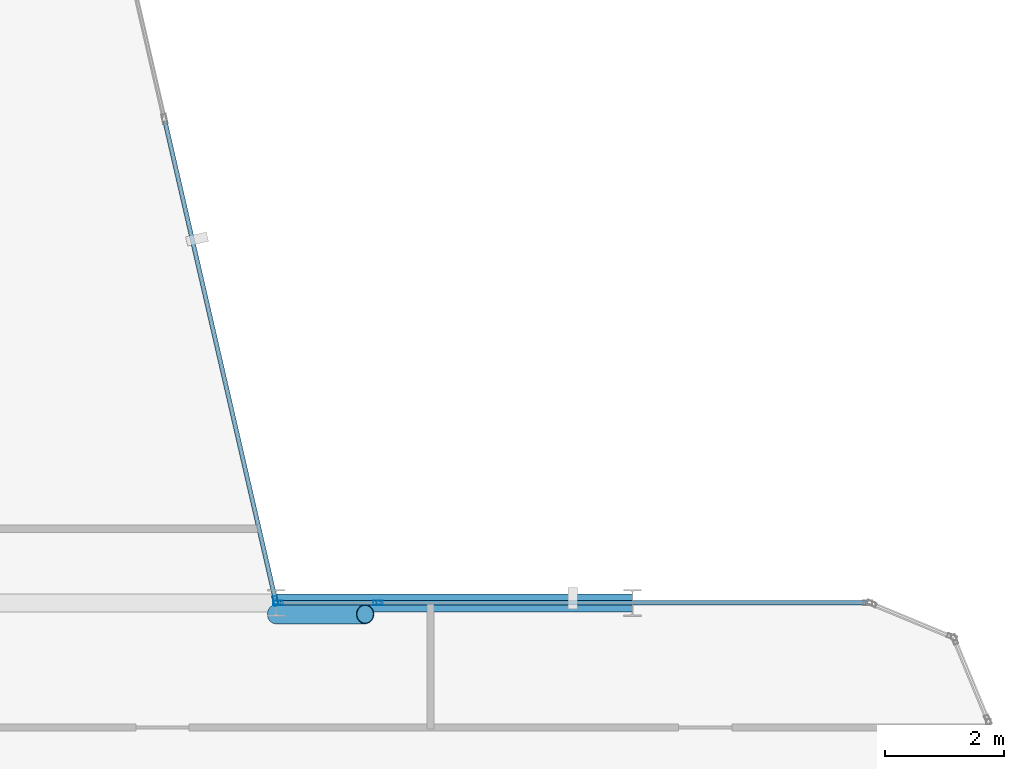
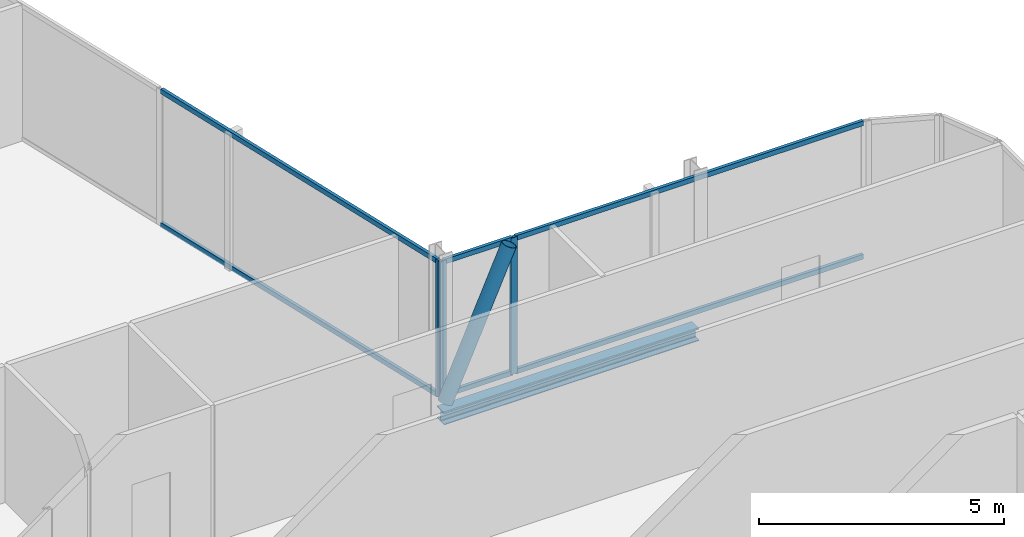
# One storey, part 14 of 29: 10 members, 1 beam, 3 elements without a shape of their own.
"""IFC4 building model written with IfcOpenShell, lengths in metres."""

from ifc_helpers import new_model, si_unit, direction, frame, origin, origin_2d, place, context, subcontext, project, spatial, hollow_rectangle, hollow_circle, i_section, extrude, material, layer, layer_set, material_profile, profile_set, type_object, element, aggregate, save


model = new_model("IFC4")

# Units and contexts
model_context = context("Model", 3, precision=1e-05, world=origin(), true_north=direction((0.0, 1.0)))
body_context = subcontext(model_context, "Body", "Model", "MODEL_VIEW")
ifc_project = project(units=[si_unit("LENGTHUNIT", "METRE"), si_unit("AREAUNIT", "SQUARE_METRE"), si_unit("VOLUMEUNIT", "CUBIC_METRE"), si_unit("PLANEANGLEUNIT", "RADIAN"), si_unit("MASSUNIT", "GRAM", prefix="KILO")], contexts=[model_context])

# Site, building, storey
site_placement = place(None, origin())
site = spatial("IfcSite", under=ifc_project, at=site_placement, CompositionType="ELEMENT")
building_placement = place(site_placement, origin())
building = spatial("IfcBuilding", under=site, at=building_placement, Name="Keshet Zoharim Tower", CompositionType="ELEMENT")
storey_placement = place(building_placement, frame((0.0, 0.0, 210.60009765625)))
storey = spatial("IfcBuildingStorey", under=building, at=storey_placement, Name="L52", CompositionType="ELEMENT", Elevation=210.60009765625)

# Beam
ifc_material_1 = material(Name="Steel S355", Category="steel")
ifc_material_profile_1 = material_profile(ifc_material_1, i_section(OverallWidth=0.300048828125, OverallDepth=0.300048828125, WebThickness=0.010986328125, FlangeThickness=0.01904296875, FilletRadius=0.027099609375, at=origin_2d()), Name="HEB300")
ifc_profile_set_1 = profile_set([ifc_material_profile_1], Name="Steel S355")
beam_type = type_object("IfcBeamType", Name="BM-PRI-HB300", PredefinedType="BEAM", material=ifc_profile_set_1)
beam_placement = place(storey_placement, frame((45.0, 27.89990234375, -0.460205078125), z_axis=(1.0, 0.0, 0.0), x_axis=(0.0, 1.0, 0.0)))
element("IfcBeam", 1, at=beam_placement, inside=storey, type_object=beam_type, Name="L52 Primary Girder X-016", PredefinedType="BEAM", context=body_context, shape_type="SweptSolid", body=[
    extrude(i_section(OverallWidth=0.300048828125, OverallDepth=0.300048828125, WebThickness=0.010986328125, FlangeThickness=0.01904296875, FilletRadius=0.027099609375, at=origin_2d()), origin(), (0.0, 0.0, 1.0), 6.0),
])

# Curtain wall, member
ifc_material_2 = material(Name="Aluminium 6063-T6", Category="aluminium")
ifc_layer = layer(ifc_material_2, 0.139892578125)
ifc_layer_set = layer_set([ifc_layer], Name="Aluminium 6063-T6")
curtain_wall_type = type_object("IfcCurtainWallType", Name="CW-SYS-05", PredefinedType="NOTDEFINED", material=ifc_layer_set)
curtain_wall_1_placement = place(storey_placement, origin())
curtain_wall_1 = element("IfcCurtainWall", 2, at=curtain_wall_1_placement, inside=storey, type_object=curtain_wall_type, Name="L52 Unitised Curtain Wall 19", PredefinedType="NOTDEFINED")
ifc_material_profile_2 = material_profile(ifc_material_2, hollow_rectangle(XDim=0.074951171875, YDim=0.159912109375, WallThickness=0.00390625, at=origin_2d()), Name="MUL-75x160")
ifc_profile_set_2 = profile_set([ifc_material_profile_2], Name="Aluminium 6063-T6")
member_type_1 = type_object("IfcMemberType", Name="CWM-M15", PredefinedType="MULLION", material=ifc_profile_set_2)
member_1_placement = place(storey_placement, frame((44.9921875, 27.93408203125, 0.0), z_axis=(0.0, 0.0, 1.0), x_axis=(0.974393882313, 0.224847864369, 0.0)))
member_1 = element("IfcMember", 3, at=member_1_placement, type_object=member_type_1, Name="CW-05 mullion 4", PredefinedType="MULLION", context=body_context, shape_type="SweptSolid", body=[
    extrude(hollow_rectangle(XDim=0.074951171875, YDim=0.159912109375, WallThickness=0.00390625, at=origin_2d()), origin(), (0.0, 0.0, 1.0), 3.389892578125),
])

# Curtain wall, members
curtain_wall_2_placement = place(storey_placement, origin())
curtain_wall_2 = element("IfcCurtainWall", 4, at=curtain_wall_2_placement, inside=storey, type_object=curtain_wall_type, Name="L52 Unitised Curtain Wall 20", PredefinedType="NOTDEFINED")
member_2_placement = place(storey_placement, frame((45.034912109375, 27.89990234375, 0.0), z_axis=(0.0, 0.0, 1.0), x_axis=(0.0, 1.0, 0.0)))
member_2 = element("IfcMember", 5, at=member_2_placement, type_object=member_type_1, Name="CW-05 mullion 1", PredefinedType="MULLION", context=body_context, shape_type="SweptSolid", body=[
    extrude(hollow_rectangle(XDim=0.074951171875, YDim=0.159912109375, WallThickness=0.00390625, at=origin_2d()), origin(), (0.0, 0.0, 1.0), 3.389892578125),
])
member_3_placement = place(storey_placement, frame((46.713134765625, 27.89990234375, 0.0), z_axis=(0.0, 0.0, 1.0), x_axis=(0.0, 1.0, 0.0)))
member_3 = element("IfcMember", 6, at=member_3_placement, type_object=member_type_1, Name="CW-05 mullion 2", PredefinedType="MULLION", context=body_context, shape_type="SweptSolid", body=[
    extrude(hollow_rectangle(XDim=0.074951171875, YDim=0.159912109375, WallThickness=0.00390625, at=origin_2d()), origin(), (0.0, 0.0, 1.0), 3.389892578125),
])

# Member
ifc_material_profile_3 = material_profile(ifc_material_2, hollow_rectangle(XDim=0.074951171875, YDim=0.1201171875, WallThickness=0.00390625, at=origin_2d()), Name="TRN-75x120")
ifc_profile_set_3 = profile_set([ifc_material_profile_3], Name="Aluminium 6063-T6")
member_type_2 = type_object("IfcMemberType", Name="CWT-T12", PredefinedType="USERDEFINED", material=ifc_profile_set_3)
member_4_placement = place(storey_placement, frame((43.127197265625, 36.015869140625, 0.034912109375), z_axis=(0.224863824467, -0.974390199277, 0.0), x_axis=(0.974390199277, 0.224863824467, 0.0)))
member_4 = element("IfcMember", 7, at=member_4_placement, type_object=member_type_2, Name="CW-05 transom 3.1", ObjectType="TRANSOM", PredefinedType="USERDEFINED", context=body_context, shape_type="SweptSolid", body=[
    extrude(hollow_rectangle(XDim=0.074951171875, YDim=0.1201171875, WallThickness=0.00390625, at=origin_2d()), origin(), (0.0, 0.0, 1.0), 8.259033203125),
])

member_5_placement = place(storey_placement, frame((43.127197265625, 36.015869140625, 3.35498046875), z_axis=(0.224863824467, -0.974390199277, 0.0), x_axis=(0.974390199277, 0.224863824467, 0.0)))
member_5 = element("IfcMember", 8, at=member_5_placement, type_object=member_type_2, Name="CW-05 transom 3.2", ObjectType="TRANSOM", PredefinedType="USERDEFINED", context=body_context, shape_type="SweptSolid", body=[
    extrude(hollow_rectangle(XDim=0.074951171875, YDim=0.1201171875, WallThickness=0.00390625, at=origin_2d()), origin(), (0.0, 0.0, 1.0), 8.259033203125),
])

aggregate(curtain_wall_1, [member_1, member_4, member_5])

member_6_placement = place(storey_placement, frame((45.070068359375, 27.89990234375, 0.034912109375), z_axis=(1.0, 0.0, 0.0), x_axis=(0.0, 1.0, 0.0)))
member_6 = element("IfcMember", 9, at=member_6_placement, type_object=member_type_2, Name="CW-05 transom 1.1", ObjectType="TRANSOM", PredefinedType="USERDEFINED", context=body_context, shape_type="SweptSolid", body=[
    extrude(hollow_rectangle(XDim=0.074951171875, YDim=0.1201171875, WallThickness=0.00390625, at=origin_2d()), origin(), (0.0, 0.0, 1.0), 1.60791015625),
])

member_7_placement = place(storey_placement, frame((45.070068359375, 27.89990234375, 3.35498046875), z_axis=(1.0, 0.0, 0.0), x_axis=(0.0, 1.0, 0.0)))
member_7 = element("IfcMember", 10, at=member_7_placement, type_object=member_type_2, Name="CW-05 transom 1.2", ObjectType="TRANSOM", PredefinedType="USERDEFINED", context=body_context, shape_type="SweptSolid", body=[
    extrude(hollow_rectangle(XDim=0.074951171875, YDim=0.1201171875, WallThickness=0.00390625, at=origin_2d()), origin(), (0.0, 0.0, 1.0), 1.60791015625),
])

aggregate(curtain_wall_2, [member_2, member_3, member_6, member_7])

# Curtain wall, members
curtain_wall_3_placement = place(storey_placement, origin())
curtain_wall_3 = element("IfcCurtainWall", 11, at=curtain_wall_3_placement, inside=storey, type_object=curtain_wall_type, Name="L52 Unitised Curtain Wall 20 Part 2", PredefinedType="NOTDEFINED")
member_8_placement = place(storey_placement, frame((46.748046875, 27.89990234375, 0.034912109375), z_axis=(1.0, 0.0, 0.0), x_axis=(0.0, 1.0, 0.0)))
member_8 = element("IfcMember", 12, at=member_8_placement, type_object=member_type_2, Name="CW-05 transom 1.1", ObjectType="TRANSOM", PredefinedType="USERDEFINED", context=body_context, shape_type="SweptSolid", body=[
    extrude(hollow_rectangle(XDim=0.074951171875, YDim=0.1201171875, WallThickness=0.00390625, at=origin_2d()), origin(), (0.0, 0.0, 1.0), 8.181884765625),
])
member_9_placement = place(storey_placement, frame((46.748046875, 27.89990234375, 3.35498046875), z_axis=(1.0, 0.0, 0.0), x_axis=(0.0, 1.0, 0.0)))
member_9 = element("IfcMember", 13, at=member_9_placement, type_object=member_type_2, Name="CW-05 transom 1.2", ObjectType="TRANSOM", PredefinedType="USERDEFINED", context=body_context, shape_type="SweptSolid", body=[
    extrude(hollow_rectangle(XDim=0.074951171875, YDim=0.1201171875, WallThickness=0.00390625, at=origin_2d()), origin(), (0.0, 0.0, 1.0), 8.181884765625),
])
aggregate(curtain_wall_3, [member_8, member_9])

# Member
ifc_material_profile_4 = material_profile(ifc_material_1, hollow_circle(Radius=0.161865234375, WallThickness=0.012451171875, at=origin_2d()), Name="CHS323x12.5")
ifc_profile_set_4 = profile_set([ifc_material_profile_4], Name="Steel S355")
member_type_3 = type_object("IfcMemberType", Name="MB-BR-C323", PredefinedType="BRACE", material=ifc_profile_set_4)
member_10_placement = place(storey_placement, frame((45.0, 27.7099609375, 0.0), z_axis=(0.40464689807, 0.0, 0.914473011019), x_axis=(0.0, 1.0, 0.0)))
element("IfcMember", 14, at=member_10_placement, inside=storey, type_object=member_type_3, Name="L52 Perimeter Tube Brace 04", PredefinedType="BRACE", context=body_context, shape_type="SweptSolid", body=[
    extrude(hollow_circle(Radius=0.161865234375, WallThickness=0.012451171875, at=origin_2d()), origin(), (0.0, 0.0, 1.0), 3.70703125),
])

save(model, "model.ifc")
